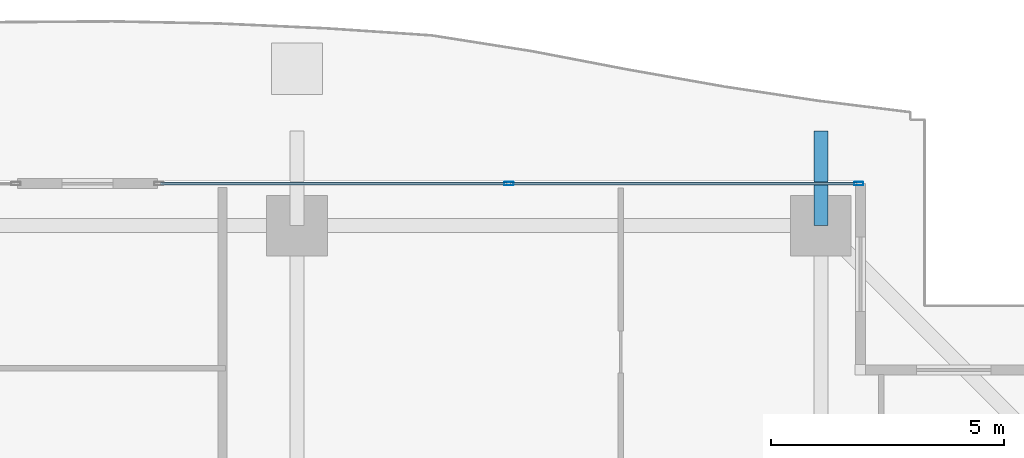
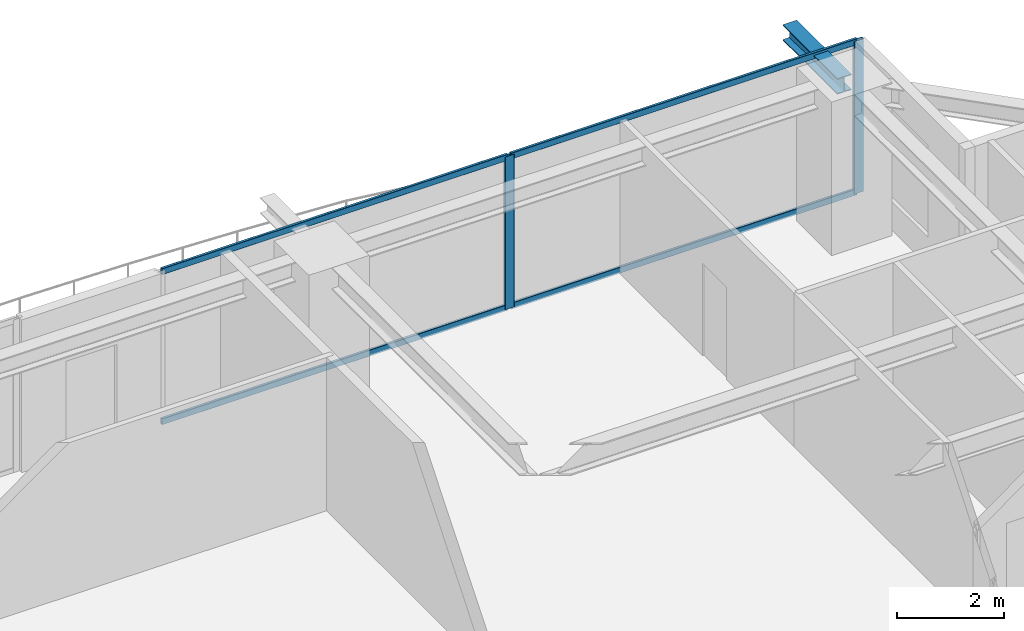
# One storey, part 25 of 39: 6 members, 1 beam, 1 element without a shape of its own.
"""IFC4 building model written with IfcOpenShell, lengths in metres."""

from ifc_helpers import new_model, si_unit, direction, frame, origin, origin_2d, place, context, subcontext, project, spatial, hollow_rectangle, i_section, extrude, source, transform, mapped, material, layer, layer_set, material_profile, profile_set, type_object, element, aggregate, save


model = new_model("IFC4")

# Units and contexts
model_context = context("Model", 3, precision=1e-05, world=origin(), true_north=direction((0.0, 1.0)))
body_context = subcontext(model_context, "Body", "Model", "MODEL_VIEW")
ifc_project = project(units=[si_unit("LENGTHUNIT", "METRE"), si_unit("AREAUNIT", "SQUARE_METRE"), si_unit("VOLUMEUNIT", "CUBIC_METRE"), si_unit("PLANEANGLEUNIT", "RADIAN"), si_unit("MASSUNIT", "GRAM", prefix="KILO")], contexts=[model_context])

# Site, building, storey
site_placement = place(None, origin())
site = spatial("IfcSite", under=ifc_project, at=site_placement, CompositionType="ELEMENT")
building_placement = place(site_placement, origin())
building = spatial("IfcBuilding", under=site, at=building_placement, Name="Serunith Strait Residences", CompositionType="ELEMENT")
storey_placement = place(building_placement, frame((0.0, 0.0, 168.89990234375)))
storey = spatial("IfcBuildingStorey", under=building, at=storey_placement, Name="L42", CompositionType="ELEMENT", Elevation=168.89990234375)

# Beam
ifc_material_1 = material(Name="Steel S355J2", Category="steel")
ifc_material_profile_1 = material_profile(ifc_material_1, i_section(OverallWidth=0.300048828125, OverallDepth=0.360107421875, WebThickness=0.012451171875, FlangeThickness=0.0224609375, FilletRadius=0.027099609375, at=origin_2d()), Name="HEB 360")
ifc_profile_set_1 = profile_set([ifc_material_profile_1], Name="Steel S355J2")
beam_type = type_object("IfcBeamType", Name="BM-HEB360", PredefinedType="BEAM", material=ifc_profile_set_1)
shared_shape_1 = source(origin(), body_context, "Body", "SweptSolid", [
    extrude(i_section(OverallWidth=0.300048828125, OverallDepth=0.360107421875, WebThickness=0.012451171875, FlangeThickness=0.0224609375, FilletRadius=0.027099609375, at=origin_2d()), origin(), (0.0, 0.0, 1.0), 2.02978515625),
])
beam_placement = place(storey_placement, frame((48.14990234375, 48.10009765625, 3.277099609375), z_axis=(0.0, 1.0, 0.0), x_axis=(-1.0, 0.0, 0.0)))
element("IfcBeam", 1, at=beam_placement, inside=storey, type_object=beam_type, Name="L43 Cantilevered Balcony Rib TC-N4", PredefinedType="BEAM", context=body_context, shape_type="MappedRepresentation", body=[
    mapped(shared_shape_1, transform((0.0, 0.0, 0.0), scale=1.0)),
])

# Curtain wall, members
ifc_material_2 = material(Name="Pale-Champagne Anodised Aluminium", Category="aluminium")
ifc_layer = layer(ifc_material_2, 0.199951171875, Name="Pale-Champagne Anodised Aluminium")
ifc_layer_set = layer_set([ifc_layer], Name="Pale-Champagne Anodised Aluminium")
curtain_wall_type = type_object("IfcCurtainWallType", Name="CW-SYS2", PredefinedType="NOTDEFINED", material=ifc_layer_set)
curtain_wall_placement = place(storey_placement, origin())
curtain_wall = element("IfcCurtainWall", 2, at=curtain_wall_placement, inside=storey, type_object=curtain_wall_type, Name="L42 N Unitised Fritted Curtain Wall", PredefinedType="NOTDEFINED")
ifc_material_profile_2 = material_profile(ifc_material_2, hollow_rectangle(XDim=0.070068359375, YDim=0.199951171875, WallThickness=0.00390625, InnerFilletRadius=0.006103515625, OuterFilletRadius=0.010009765625, at=origin_2d()), Name="ALU 200x70x4")
ifc_profile_set_2 = profile_set([ifc_material_profile_2], Name="Pale-Champagne Anodised Aluminium")
member_type_1 = type_object("IfcMemberType", Name="CW-SYS2-MULL", PredefinedType="MULLION", material=ifc_profile_set_2)
shared_shape_2 = source(origin(), body_context, "Body", "SweptSolid", [
    extrude(hollow_rectangle(XDim=0.070068359375, YDim=0.199951171875, WallThickness=0.00390625, InnerFilletRadius=0.006103515625, OuterFilletRadius=0.010009765625, at=origin_2d()), origin(), (0.0, 0.0, 1.0), 3.47509765625),
])
member_1_placement = place(storey_placement, frame((48.965087890625, 49.0, 0.0), z_axis=(0.0, 0.0, 1.0), x_axis=(0.0, -1.0, 0.0)))
member_1 = element("IfcMember", 3, at=member_1_placement, type_object=member_type_1, Name="CW-2 mullion 1", PredefinedType="MULLION", context=body_context, shape_type="MappedRepresentation", body=[
    mapped(shared_shape_2, transform((0.0, 0.0, 0.0), scale=1.0)),
])
member_2_placement = place(storey_placement, frame((41.449951171875, 49.0, 0.0), z_axis=(0.0, 0.0, 1.0), x_axis=(0.0, -1.0, 0.0)))
member_2 = element("IfcMember", 4, at=member_2_placement, type_object=member_type_1, Name="CW-2 mullion 2", PredefinedType="MULLION", context=body_context, shape_type="MappedRepresentation", body=[
    mapped(shared_shape_2, transform((0.0, 0.0, 0.0), scale=1.0)),
])
ifc_material_profile_3 = material_profile(ifc_material_2, hollow_rectangle(XDim=0.06005859375, YDim=0.139892578125, WallThickness=0.00341796875, InnerFilletRadius=0.00537109375, OuterFilletRadius=0.0087890625, at=origin_2d()), Name="ALU 140x60x3.5")
ifc_profile_set_3 = profile_set([ifc_material_profile_3], Name="Pale-Champagne Anodised Aluminium")
member_type_2 = type_object("IfcMemberType", Name="CW-SYS2-TRAN", PredefinedType="USERDEFINED", material=ifc_profile_set_3)
shared_shape_3 = source(origin(), body_context, "Body", "SweptSolid", [
    extrude(hollow_rectangle(XDim=0.06005859375, YDim=0.139892578125, WallThickness=0.00341796875, InnerFilletRadius=0.00537109375, OuterFilletRadius=0.0087890625, at=origin_2d()), origin(), (0.0, 0.0, 1.0), 7.44482421875),
])
member_3_placement = place(storey_placement, frame((48.929931640625, 49.0, 0.030029296875), z_axis=(-1.0, 0.0, 0.0), x_axis=(0.0, -1.0, 0.0)))
member_3 = element("IfcMember", 5, at=member_3_placement, type_object=member_type_2, Name="CW-2 transom 1.1", ObjectType="TRANSOM", PredefinedType="USERDEFINED", context=body_context, shape_type="MappedRepresentation", body=[
    mapped(shared_shape_3, transform((0.0, 0.0, 0.0), scale=1.0)),
])
member_4_placement = place(storey_placement, frame((48.929931640625, 49.0, 3.445068359375), z_axis=(-1.0, 0.0, 0.0), x_axis=(0.0, -1.0, 0.0)))
member_4 = element("IfcMember", 6, at=member_4_placement, type_object=member_type_2, Name="CW-2 transom 1.2", ObjectType="TRANSOM", PredefinedType="USERDEFINED", context=body_context, shape_type="MappedRepresentation", body=[
    mapped(shared_shape_3, transform((0.0, 0.0, 0.0), scale=1.0)),
])
shared_shape_4 = source(origin(), body_context, "Body", "SweptSolid", [
    extrude(hollow_rectangle(XDim=0.06005859375, YDim=0.139892578125, WallThickness=0.00341796875, InnerFilletRadius=0.00537109375, OuterFilletRadius=0.0087890625, at=origin_2d()), origin(), (0.0, 0.0, 1.0), 7.445068359375),
])
member_5_placement = place(storey_placement, frame((41.4150390625, 49.0, 0.030029296875), z_axis=(-1.0, 0.0, 0.0), x_axis=(0.0, -1.0, 0.0)))
member_5 = element("IfcMember", 7, at=member_5_placement, type_object=member_type_2, Name="CW-2 transom 2.1", ObjectType="TRANSOM", PredefinedType="USERDEFINED", context=body_context, shape_type="MappedRepresentation", body=[
    mapped(shared_shape_4, transform((0.0, 0.0, 0.0), scale=1.0)),
])
member_6_placement = place(storey_placement, frame((41.4150390625, 49.0, 3.445068359375), z_axis=(-1.0, 0.0, 0.0), x_axis=(0.0, -1.0, 0.0)))
member_6 = element("IfcMember", 8, at=member_6_placement, type_object=member_type_2, Name="CW-2 transom 2.2", ObjectType="TRANSOM", PredefinedType="USERDEFINED", context=body_context, shape_type="MappedRepresentation", body=[
    mapped(shared_shape_4, transform((0.0, 0.0, 0.0), scale=1.0)),
])
aggregate(curtain_wall, [member_1, member_2, member_3, member_4, member_5, member_6])

save(model, "model.ifc")
